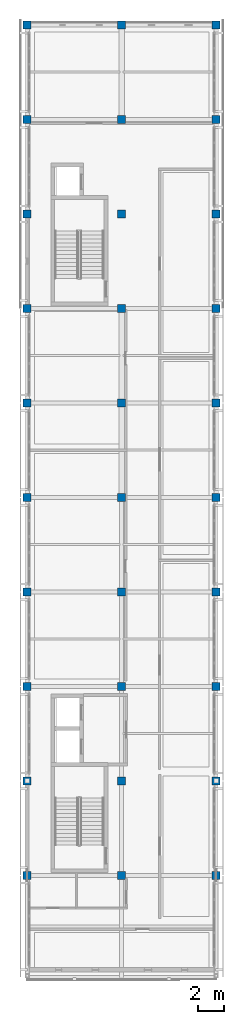
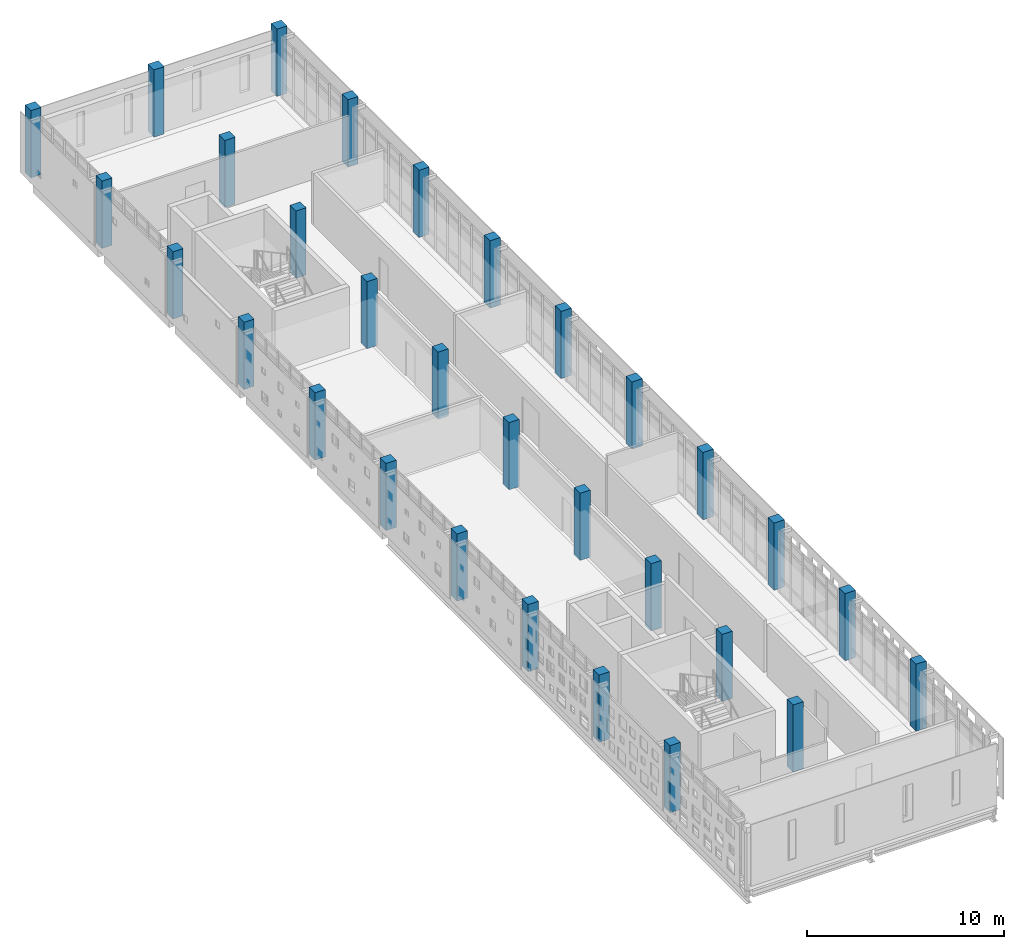
# One storey, part 1 of 21: 30 columns.
"""IFC4 building model written with IfcOpenShell, lengths in metres."""

from ifc_helpers import new_model, si_unit, direction, frame, origin, origin_2d, place, context, subcontext, project, spatial, rectangle, extrude, material, material_profile, profile_set, type_object, element, save


model = new_model("IFC4")

# Units and contexts
model_context = context("Model", 3, precision=1e-05, world=origin(), true_north=direction((0.0, 1.0)))
body_context = subcontext(model_context, "Body", "Model", "MODEL_VIEW")
ifc_project = project(units=[si_unit("LENGTHUNIT", "METRE"), si_unit("AREAUNIT", "SQUARE_METRE"), si_unit("VOLUMEUNIT", "CUBIC_METRE"), si_unit("PLANEANGLEUNIT", "RADIAN"), si_unit("MASSUNIT", "GRAM", prefix="KILO")], contexts=[model_context])

# Site, building, storey
site_placement = place(None, origin())
site = spatial("IfcSite", under=ifc_project, at=site_placement, CompositionType="ELEMENT")
building_placement = place(site_placement, origin())
building = spatial("IfcBuilding", under=site, at=building_placement, Name="Valkovuoma Quantum and Materials Research Institute", CompositionType="ELEMENT")
storey_placement = place(building_placement, frame((0.0, 0.0, 33.919921875)))
storey = spatial("IfcBuildingStorey", under=building, at=storey_placement, Name="L08", CompositionType="ELEMENT", Elevation=33.919921875)

# Columns
ifc_material = material(Name="Concrete C40/50", Category="concrete")
ifc_material_profile = material_profile(ifc_material, rectangle(XDim=0.60009765625, YDim=0.60009765625, at=origin_2d()), Name="Concrete C40/50")
ifc_profile_set = profile_set([ifc_material_profile], Name="Concrete C40/50")
column_type = type_object("IfcColumnType", Name="Col-C-RC600", PredefinedType="COLUMN", material=ifc_profile_set)
for number, where, z_axis, x_axis, name in (
    (1, (0.0, 28.800048828125, 0.0), (0.0, 0.0, 1.0), (1.0, 0.0, 0.0), "L08 column 01E"),
    (2, (0.0, 36.0, 0.0), (0.0, 0.0, 1.0), (1.0, 0.0, 0.0), "L08 column 01F"),
    (3, (0.0, 43.199951171875, 0.0), (0.0, 0.0, 1.0), (1.0, 0.0, 0.0), "L08 column 01G"),
    (4, (0.0, 50.39990234375, 0.0), (0.0, 0.0, 1.0), (1.0, 0.0, 0.0), "L08 column 01H"),
    (5, (0.0, 57.60009765625, 0.0), (0.0, 0.0, 1.0), (1.0, 0.0, 0.0), "L08 column 01J"),
    (6, (0.0, 64.800048828125, 0.0), (0.0, 0.0, 1.0), (1.0, 0.0, 0.0), "L08 column 01K"),
    (7, (0.0, 72.0, 0.0), (0.0, 0.0, 1.0), (1.0, 0.0, 0.0), "L08 column 01L"),
    (8, (0.0, 79.199951171875, 0.0), (0.0, 0.0, 1.0), (1.0, 0.0, 0.0), "L08 column 01M"),
    (9, (0.0, 86.39990234375, 0.0), (0.0, 0.0, 1.0), (1.0, 0.0, 0.0), "L08 column 01N"),
    (10, (0.0, 93.60009765625, 0.0), (0.0, 0.0, 1.0), (1.0, 0.0, 0.0), "L08 column 01P"),
    (11, (7.199951171875, 28.800048828125, 0.0), (0.0, 0.0, 1.0), (1.0, 0.0, 0.0), "L08 column 02E"),
    (12, (7.199951171875, 36.0, 0.0), (0.0, 0.0, 1.0), (1.0, 0.0, 0.0), "L08 column 02F"),
    (13, (7.199951171875, 43.199951171875, 0.0), (0.0, 0.0, 1.0), (1.0, 0.0, 0.0), "L08 column 02G"),
    (14, (7.199951171875, 50.39990234375, 0.0), (0.0, 0.0, 1.0), (1.0, 0.0, 0.0), "L08 column 02H"),
    (15, (7.199951171875, 57.60009765625, 0.0), (0.0, 0.0, 1.0), (1.0, 0.0, 0.0), "L08 column 02J"),
    (16, (7.199951171875, 64.800048828125, 0.0), (0.0, 0.0, 1.0), (1.0, 0.0, 0.0), "L08 column 02K"),
    (17, (7.199951171875, 72.0, 0.0), (0.0, 0.0, 1.0), (1.0, 0.0, 0.0), "L08 column 02L"),
    (18, (7.199951171875, 79.199951171875, 0.0), (0.0, 0.0, 1.0), (1.0, 0.0, 0.0), "L08 column 02M"),
    (19, (7.199951171875, 86.39990234375, 0.0), (0.0, 0.0, 1.0), (1.0, 0.0, 0.0), "L08 column 02N"),
    (20, (7.199951171875, 93.60009765625, 0.0), (0.0, 0.0, 1.0), (1.0, 0.0, 0.0), "L08 column 02P"),
    (21, (14.39990234375, 28.800048828125, 0.0), (0.0, 0.0, 1.0), (1.0, 0.0, 0.0), "L08 column 03E"),
    (22, (14.39990234375, 36.0, 0.0), (0.0, 0.0, 1.0), (1.0, 0.0, 0.0), "L08 column 03F"),
    (23, (14.39990234375, 43.199951171875, 0.0), (0.0, 0.0, 1.0), (1.0, 0.0, 0.0), "L08 column 03G"),
    (24, (14.39990234375, 50.39990234375, 0.0), (0.0, 0.0, 1.0), (1.0, 0.0, 0.0), "L08 column 03H"),
    (25, (14.39990234375, 57.60009765625, 0.0), (0.0, 0.0, 1.0), (1.0, 0.0, 0.0), "L08 column 03J"),
    (26, (14.39990234375, 64.800048828125, 0.0), (0.0, 0.0, 1.0), (1.0, 0.0, 0.0), "L08 column 03K"),
    (27, (14.39990234375, 72.0, 0.0), (0.0, 0.0, 1.0), (1.0, 0.0, 0.0), "L08 column 03L"),
    (28, (14.39990234375, 79.199951171875, 0.0), (0.0, 0.0, 1.0), (1.0, 0.0, 0.0), "L08 column 03M"),
    (29, (14.39990234375, 86.39990234375, 0.0), (0.0, 0.0, 1.0), (1.0, 0.0, 0.0), "L08 column 03N"),
    (30, (14.39990234375, 93.60009765625, 0.0), (0.0, 0.0, 1.0), (1.0, 0.0, 0.0), "L08 column 03P"),
):
    element("IfcColumn", number, at=place(storey_placement, frame(where, z_axis=z_axis, x_axis=x_axis)), inside=storey, type_object=column_type, Name=name, PredefinedType="COLUMN", context=body_context, shape_type="SweptSolid", body=[
        extrude(rectangle(XDim=0.60009765625, YDim=0.60009765625, at=origin_2d()), origin(), (0.0, 0.0, 1.0), 4.16015625),
    ])

save(model, "model.ifc")
